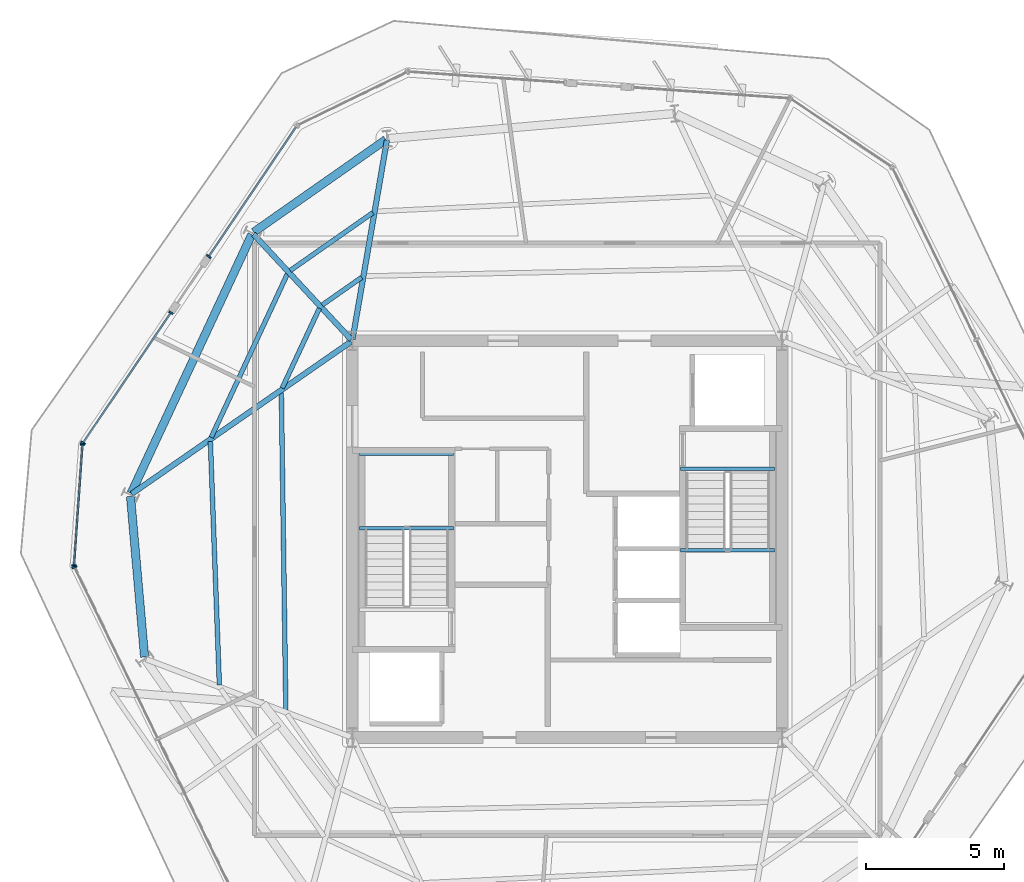
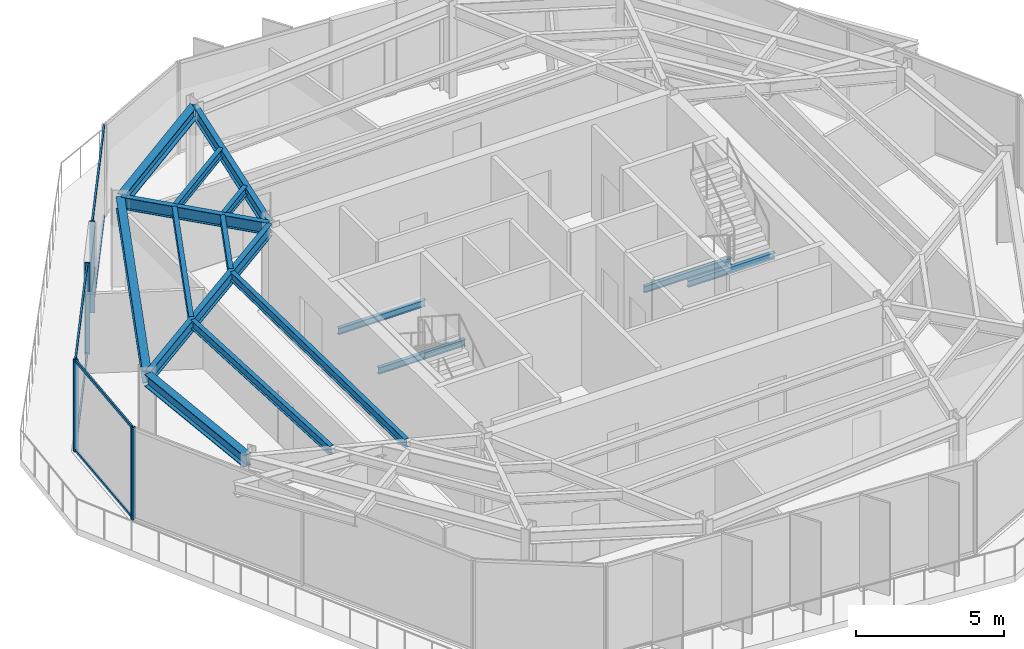
# One storey, part 4 of 12: 16 beams, 12 members, 4 elements without a shape of their own.
"""IFC4 building model written with IfcOpenShell, lengths in metres."""

from ifc_helpers import new_model, si_unit, direction, frame, origin, origin_2d, place, context, subcontext, project, spatial, rectangle, i_section, extrude, material, layer, layer_set, material_profile, profile_set, type_object, element, aggregate, save


model = new_model("IFC4")

# Units and contexts
model_context = context("Model", 3, precision=1e-05, world=origin(), true_north=direction((0.0, 1.0)))
body_context = subcontext(model_context, "Body", "Model", "MODEL_VIEW")
ifc_project = project(units=[si_unit("LENGTHUNIT", "METRE"), si_unit("AREAUNIT", "SQUARE_METRE"), si_unit("VOLUMEUNIT", "CUBIC_METRE"), si_unit("PLANEANGLEUNIT", "RADIAN"), si_unit("MASSUNIT", "GRAM", prefix="KILO")], contexts=[model_context])

# Site, building, storey
site_placement = place(None, origin())
site = spatial("IfcSite", under=ifc_project, at=site_placement, CompositionType="ELEMENT")
building_placement = place(site_placement, origin())
building = spatial("IfcBuilding", under=site, at=building_placement, Name="Kranzbogen Civic Tower", CompositionType="ELEMENT")
storey_placement = place(building_placement, frame((0.0, 0.0, 250.199951171875)))
storey = spatial("IfcBuildingStorey", under=building, at=storey_placement, Name="L60", CompositionType="ELEMENT", Elevation=250.199951171875)

# Curtain wall, members
ifc_material_1 = material(Name="Pale Anodised Aluminium", Category="aluminium")
ifc_layer_1 = layer(ifc_material_1, 0.219970703125, Name="Pale Anodised Aluminium")
ifc_layer_set_1 = layer_set([ifc_layer_1], Name="Pale Anodised Aluminium")
curtain_wall_type_1 = type_object("IfcCurtainWallType", Name="Chamfer Facet Stick Curtain Wall System CW-06", PredefinedType="USERDEFINED", material=ifc_layer_set_1)
curtain_wall_1_placement = place(storey_placement, origin())
curtain_wall_1 = element("IfcCurtainWall", 1, at=curtain_wall_1_placement, inside=storey, type_object=curtain_wall_type_1, Name="L60 curtain wall CW-L60-C2", ObjectType="STICK CURTAIN WALL", PredefinedType="USERDEFINED")
ifc_material_profile_1 = material_profile(ifc_material_1, rectangle(XDim=0.06005859375, YDim=0.159912109375, at=origin_2d()), Name="ALU-M 60x160")
ifc_profile_set_1 = profile_set([ifc_material_profile_1], Name="Pale Anodised Aluminium")
member_type_1 = type_object("IfcMemberType", Name="Curtain Wall Mullion ALU-M 60x160", PredefinedType="MULLION", material=ifc_profile_set_1)
member_1_placement = place(storey_placement, frame((7.408935546875, 28.43798828125, 0.0), z_axis=(0.0, 0.0, 1.0), x_axis=(-0.069655280364, -0.997571121233, 0.0)))
member_1 = element("IfcMember", 2, at=member_1_placement, type_object=member_type_1, Name="CW-06 mullion 1", PredefinedType="MULLION", context=body_context, shape_type="SweptSolid", body=[
    extrude(rectangle(XDim=0.06005859375, YDim=0.159912109375, at=origin_2d()), origin(), (0.0, 0.0, 1.0), 3.780029296875),
])
member_2_placement = place(storey_placement, frame((7.10205078125, 24.0439453125, 0.0), z_axis=(0.0, 0.0, 1.0), x_axis=(-0.069655280364, -0.997571121233, 0.0)))
member_2 = element("IfcMember", 3, at=member_2_placement, type_object=member_type_1, Name="CW-06 mullion 2", PredefinedType="MULLION", context=body_context, shape_type="SweptSolid", body=[
    extrude(rectangle(XDim=0.06005859375, YDim=0.159912109375, at=origin_2d()), origin(), (0.0, 0.0, 1.0), 3.780029296875),
])

# Curtain wall, member
ifc_layer_2 = layer(ifc_material_1, 0.219970703125, Name="Pale Anodised Aluminium")
ifc_layer_set_2 = layer_set([ifc_layer_2], Name="Pale Anodised Aluminium")
curtain_wall_type_2 = type_object("IfcCurtainWallType", Name="Zone 4 Stick Curtain Wall System CW-05", PredefinedType="USERDEFINED", material=ifc_layer_set_2)
curtain_wall_2_placement = place(storey_placement, origin())
curtain_wall_2 = element("IfcCurtainWall", 4, at=curtain_wall_2_placement, inside=storey, type_object=curtain_wall_type_2, Name="L60 curtain wall CW-L60-F2-S1", ObjectType="STICK CURTAIN WALL", PredefinedType="USERDEFINED")
ifc_material_profile_2 = material_profile(ifc_material_1, rectangle(XDim=0.06494140625, YDim=0.179931640625, at=origin_2d()), Name="ALU-M 65x180")
ifc_profile_set_2 = profile_set([ifc_material_profile_2], Name="Pale Anodised Aluminium")
member_type_2 = type_object("IfcMemberType", Name="Curtain Wall Mullion ALU-M 65x180", PredefinedType="MULLION", material=ifc_profile_set_2)
member_3_placement = place(storey_placement, frame((11.99169921875, 35.2587890625, 0.0), z_axis=(0.0, 0.0, 1.0), x_axis=(-0.559219373817, -0.829019717466, 0.0)))
member_3 = element("IfcMember", 5, at=member_3_placement, type_object=member_type_2, Name="CW-05 mullion 2", PredefinedType="MULLION", context=body_context, shape_type="SweptSolid", body=[
    extrude(rectangle(XDim=0.06494140625, YDim=0.179931640625, at=origin_2d()), origin(), (0.0, 0.0, 1.0), 3.780029296875),
])

# Curtain wall, members
curtain_wall_3_placement = place(storey_placement, origin())
curtain_wall_3 = element("IfcCurtainWall", 6, at=curtain_wall_3_placement, inside=storey, type_object=curtain_wall_type_2, Name="L60 curtain wall CW-L60-F2-S2", ObjectType="STICK CURTAIN WALL", PredefinedType="USERDEFINED")
member_4_placement = place(storey_placement, frame((10.6162109375, 33.21923828125, 0.0), z_axis=(0.0, 0.0, 1.0), x_axis=(-0.559258196655, -0.828993528005, 0.0)))
member_4 = element("IfcMember", 7, at=member_4_placement, type_object=member_type_2, Name="CW-05 mullion 1", PredefinedType="MULLION", context=body_context, shape_type="SweptSolid", body=[
    extrude(rectangle(XDim=0.06494140625, YDim=0.179931640625, at=origin_2d()), origin(), (0.0, 0.0, 1.0), 3.780029296875),
])
member_5_placement = place(storey_placement, frame((7.427734375, 28.492919921875, 0.0), z_axis=(0.0, 0.0, 1.0), x_axis=(-0.559258196655, -0.828993528005, 0.0)))
member_5 = element("IfcMember", 8, at=member_5_placement, type_object=member_type_2, Name="CW-05 mullion 2", PredefinedType="MULLION", context=body_context, shape_type="SweptSolid", body=[
    extrude(rectangle(XDim=0.06494140625, YDim=0.179931640625, at=origin_2d()), origin(), (0.0, 0.0, 1.0), 3.780029296875),
])

# Curtain wall, member
curtain_wall_4_placement = place(storey_placement, origin())
curtain_wall_4 = element("IfcCurtainWall", 9, at=curtain_wall_4_placement, inside=storey, type_object=curtain_wall_type_2, Name="L60 curtain wall CW-L60-F3", ObjectType="STICK CURTAIN WALL", PredefinedType="USERDEFINED")
member_6_placement = place(storey_placement, frame((7.113037109375, 23.987060546875, 0.0), z_axis=(0.0, 0.0, 1.0), x_axis=(0.438313241506, -0.898822286284, 0.0)))
member_6 = element("IfcMember", 10, at=member_6_placement, type_object=member_type_2, Name="CW-05 mullion 1", PredefinedType="MULLION", context=body_context, shape_type="SweptSolid", body=[
    extrude(rectangle(XDim=0.06494140625, YDim=0.179931640625, at=origin_2d()), origin(), (0.0, 0.0, 1.0), 3.780029296875),
])
aggregate(curtain_wall_4, [member_6])

# Member
ifc_material_profile_3 = material_profile(ifc_material_1, rectangle(XDim=0.06005859375, YDim=0.1201171875, at=origin_2d()), Name="ALU-T 60x120")
ifc_profile_set_3 = profile_set([ifc_material_profile_3], Name="Pale Anodised Aluminium")
member_type_3 = type_object("IfcMemberType", Name="Curtain Wall Transom ALU-T 60x120", PredefinedType="USERDEFINED", material=ifc_profile_set_3)
member_7_placement = place(storey_placement, frame((7.40673828125, 28.408203125, 0.030029296875), z_axis=(-0.06962167105, -0.99757346743, 0.0), x_axis=(0.99757346743, -0.06962167105, 0.0)))
member_7 = element("IfcMember", 11, at=member_7_placement, type_object=member_type_3, Name="CW-06 transom 1.1", ObjectType="TRANSOM", PredefinedType="USERDEFINED", context=body_context, shape_type="SweptSolid", body=[
    extrude(rectangle(XDim=0.06005859375, YDim=0.1201171875, at=origin_2d()), origin(), (0.0, 0.0, 1.0), 4.3447265625),
])

member_8_placement = place(storey_placement, frame((7.40673828125, 28.408203125, 3.75), z_axis=(-0.06962167105, -0.99757346743, 0.0), x_axis=(0.99757346743, -0.06962167105, 0.0)))
member_8 = element("IfcMember", 12, at=member_8_placement, type_object=member_type_3, Name="CW-06 transom 1.2", ObjectType="TRANSOM", PredefinedType="USERDEFINED", context=body_context, shape_type="SweptSolid", body=[
    extrude(rectangle(XDim=0.06005859375, YDim=0.1201171875, at=origin_2d()), origin(), (0.0, 0.0, 1.0), 4.3447265625),
])

aggregate(curtain_wall_1, [member_1, member_2, member_7, member_8])

ifc_material_profile_4 = material_profile(ifc_material_1, rectangle(XDim=0.06494140625, YDim=0.135009765625, at=origin_2d()), Name="ALU-T 65x135")
ifc_profile_set_4 = profile_set([ifc_material_profile_4], Name="Pale Anodised Aluminium")
member_type_4 = type_object("IfcMemberType", Name="Curtain Wall Transom ALU-T 65x135", PredefinedType="USERDEFINED", material=ifc_profile_set_4)
member_9_placement = place(storey_placement, frame((15.162353515625, 39.959228515625, 0.030029296875), z_axis=(-0.55920740466, -0.829027791195, 0.0), x_axis=(0.829027791195, -0.55920740466, 0.0)))
member_9 = element("IfcMember", 13, at=member_9_placement, type_object=member_type_4, Name="CW-05 transom 1.1", ObjectType="TRANSOM", PredefinedType="USERDEFINED", context=body_context, shape_type="SweptSolid", body=[
    extrude(rectangle(XDim=0.06494140625, YDim=0.135009765625, at=origin_2d()), origin(), (0.0, 0.0, 1.0), 5.639892578125),
])

member_10_placement = place(storey_placement, frame((15.162353515625, 39.959228515625, 3.75), z_axis=(-0.55920740466, -0.829027791195, 0.0), x_axis=(0.829027791195, -0.55920740466, 0.0)))
member_10 = element("IfcMember", 14, at=member_10_placement, type_object=member_type_4, Name="CW-05 transom 1.2", ObjectType="TRANSOM", PredefinedType="USERDEFINED", context=body_context, shape_type="SweptSolid", body=[
    extrude(rectangle(XDim=0.06494140625, YDim=0.135009765625, at=origin_2d()), origin(), (0.0, 0.0, 1.0), 5.639892578125),
])

aggregate(curtain_wall_2, [member_3, member_9, member_10])

member_11_placement = place(storey_placement, frame((10.599365234375, 33.1943359375, 0.030029296875), z_axis=(-0.559246127772, -0.829001669825, 0.0), x_axis=(0.829001669825, -0.559246127772, 0.0)))
member_11 = element("IfcMember", 15, at=member_11_placement, type_object=member_type_4, Name="CW-05 transom 1.1", ObjectType="TRANSOM", PredefinedType="USERDEFINED", context=body_context, shape_type="SweptSolid", body=[
    extrude(rectangle(XDim=0.06494140625, YDim=0.135009765625, at=origin_2d()), origin(), (0.0, 0.0, 1.0), 5.64111328125),
])

member_12_placement = place(storey_placement, frame((10.599365234375, 33.1943359375, 3.75), z_axis=(-0.559246127772, -0.829001669825, 0.0), x_axis=(0.829001669825, -0.559246127772, 0.0)))
member_12 = element("IfcMember", 16, at=member_12_placement, type_object=member_type_4, Name="CW-05 transom 1.2", ObjectType="TRANSOM", PredefinedType="USERDEFINED", context=body_context, shape_type="SweptSolid", body=[
    extrude(rectangle(XDim=0.06494140625, YDim=0.135009765625, at=origin_2d()), origin(), (0.0, 0.0, 1.0), 5.64111328125),
])

aggregate(curtain_wall_3, [member_4, member_5, member_11, member_12])

# Beams
ifc_material_2 = material(Name="Steel S355", Category="steel")
ifc_material_profile_5 = material_profile(ifc_material_2, i_section(OverallWidth=0.300048828125, OverallDepth=0.5, WebThickness=0.014404296875, FlangeThickness=0.028076171875, at=origin_2d()), Name="HEB 500")
ifc_profile_set_5 = profile_set([ifc_material_profile_5], Name="Steel S355")
beam_type_1 = type_object("IfcBeamType", Name="Perimeter Tube Spandrel Beam HEB 500", PredefinedType="SPANDREL", material=ifc_profile_set_5)
beam_1_placement = place(storey_placement, frame((18.41796875, 39.501953125, 3.530029296875), z_axis=(-0.819059436004, -0.57370867197, 0.0), x_axis=(0.57370867197, -0.819059436004, 0.0)))
element("IfcBeam", 17, at=beam_1_placement, inside=storey, type_object=beam_type_1, Name="L60 perimeter spandrel beam 10", PredefinedType="SPANDREL", context=body_context, shape_type="SweptSolid", body=[
    extrude(i_section(OverallWidth=0.300048828125, OverallDepth=0.5, WebThickness=0.014404296875, FlangeThickness=0.028076171875, at=origin_2d()), origin(), (0.0, 0.0, 1.0), 5.85302734375),
])
beam_2_placement = place(storey_placement, frame((13.550048828125, 36.055908203125, 3.530029296875), z_axis=(-0.422668780888, -0.906284227857, 0.0), x_axis=(0.906284227857, -0.422668780888, 0.0)))
element("IfcBeam", 18, at=beam_2_placement, inside=storey, type_object=beam_type_1, Name="L60 perimeter spandrel beam 11", PredefinedType="SPANDREL", context=body_context, shape_type="SweptSolid", body=[
    extrude(i_section(OverallWidth=0.300048828125, OverallDepth=0.5, WebThickness=0.014404296875, FlangeThickness=0.028076171875, at=origin_2d()), origin(), (0.0, 0.0, 1.0), 10.363037109375),
])
beam_3_placement = place(storey_placement, frame((9.14990234375, 26.550048828125, 3.530029296875), z_axis=(0.087326362434, -0.99617975608, 0.0), x_axis=(0.99617975608, 0.087326362434, 0.0)))
element("IfcBeam", 19, at=beam_3_placement, inside=storey, type_object=beam_type_1, Name="L60 perimeter spandrel beam 12", PredefinedType="SPANDREL", context=body_context, shape_type="SweptSolid", body=[
    extrude(i_section(OverallWidth=0.300048828125, OverallDepth=0.5, WebThickness=0.014404296875, FlangeThickness=0.028076171875, at=origin_2d()), origin(), (0.0, 0.0, 1.0), 5.8515625),
])
ifc_material_profile_6 = material_profile(ifc_material_2, i_section(OverallWidth=0.199951171875, OverallDepth=0.5, WebThickness=0.01025390625, FlangeThickness=0.01611328125, at=origin_2d()), Name="IPE 500")
ifc_profile_set_6 = profile_set([ifc_material_profile_6], Name="Steel S355")
beam_type_2 = type_object("IfcBeamType", Name="Radial Tower Floor Girder IPE 500", PredefinedType="BEAM", material=ifc_profile_set_6)
beam_4_placement = place(storey_placement, frame((18.45703125, 39.47705078125, 3.530029296875), z_axis=(-0.170249558486, -0.985400978199, 0.0), x_axis=(0.985400978199, -0.170249558486, 0.0)))
element("IfcBeam", 20, at=beam_4_placement, inside=storey, type_object=beam_type_2, Name="L60 radial floor girder 10", PredefinedType="BEAM", context=body_context, shape_type="SweptSolid", body=[
    extrude(i_section(OverallWidth=0.199951171875, OverallDepth=0.5, WebThickness=0.01025390625, FlangeThickness=0.01611328125, at=origin_2d()), origin(), (0.0, 0.0, 1.0), 7.324951171875),
])
beam_5_placement = place(storey_placement, frame((13.615966796875, 36.06591796875, 3.530029296875), z_axis=(0.679827353702, -0.733372190064, 0.0), x_axis=(0.733372190064, 0.679827353702, 0.0)))
element("IfcBeam", 21, at=beam_5_placement, inside=storey, type_object=beam_type_2, Name="L60 radial floor girder 11", PredefinedType="BEAM", context=body_context, shape_type="SweptSolid", body=[
    extrude(i_section(OverallWidth=0.199951171875, OverallDepth=0.5, WebThickness=0.01025390625, FlangeThickness=0.01611328125, at=origin_2d()), origin(), (0.0, 0.0, 1.0), 5.211669921875),
])
beam_6_placement = place(storey_placement, frame((9.194091796875, 26.64404296875, 3.530029296875), z_axis=(0.821542812331, 0.570146829779, 0.0), x_axis=(-0.570146829779, 0.821542812331, 0.0)))
element("IfcBeam", 22, at=beam_6_placement, inside=storey, type_object=beam_type_2, Name="L60 radial floor girder 12", PredefinedType="BEAM", context=body_context, shape_type="SweptSolid", body=[
    extrude(i_section(OverallWidth=0.199951171875, OverallDepth=0.5, WebThickness=0.01025390625, FlangeThickness=0.01611328125, at=origin_2d()), origin(), (0.0, 0.0, 1.0), 9.68505859375),
])
ifc_material_profile_7 = material_profile(ifc_material_2, i_section(OverallWidth=0.169921875, OverallDepth=0.360107421875, WebThickness=0.008056640625, FlangeThickness=0.0126953125, at=origin_2d()), Name="IPE 360")
ifc_profile_set_7 = profile_set([ifc_material_profile_7], Name="Steel S355")
beam_type_3 = type_object("IfcBeamType", Name="Secondary Composite Floor Joist IPE 360", PredefinedType="JOIST", material=ifc_profile_set_7)
beam_7_placement = place(storey_placement, frame((17.945068359375, 36.84912109375, 3.60009765625), z_axis=(-0.819006333711, -0.573784476385, 0.0), x_axis=(0.573784476385, -0.819006333711, 0.0)))
element("IfcBeam", 23, at=beam_7_placement, inside=storey, type_object=beam_type_3, Name="L60 secondary floor joist 1.10", PredefinedType="JOIST", context=body_context, shape_type="SweptSolid", body=[
    extrude(i_section(OverallWidth=0.169921875, OverallDepth=0.360107421875, WebThickness=0.008056640625, FlangeThickness=0.0126953125, at=origin_2d()), origin(), (0.0, 0.0, 1.0), 3.661865234375),
])
beam_8_placement = place(storey_placement, frame((17.5400390625, 34.501953125, 3.60009765625), z_axis=(-0.818956727849, -0.573855276103, 0.0), x_axis=(0.573855276103, -0.818956727849, 0.0)))
element("IfcBeam", 24, at=beam_8_placement, inside=storey, type_object=beam_type_3, Name="L60 secondary floor joist 2.10", PredefinedType="JOIST", context=body_context, shape_type="SweptSolid", body=[
    extrude(i_section(OverallWidth=0.169921875, OverallDepth=0.360107421875, WebThickness=0.008056640625, FlangeThickness=0.0126953125, at=origin_2d()), origin(), (0.0, 0.0, 1.0), 1.751220703125),
])
beam_9_placement = place(storey_placement, frame((14.845947265625, 34.6298828125, 3.60009765625), z_axis=(-0.422542528713, -0.906343098075, 0.0), x_axis=(0.906343098075, -0.422542528713, 0.0)))
element("IfcBeam", 25, at=beam_9_placement, inside=storey, type_object=beam_type_3, Name="L60 secondary floor joist 1.11", PredefinedType="JOIST", context=body_context, shape_type="SweptSolid", body=[
    extrude(i_section(OverallWidth=0.169921875, OverallDepth=0.360107421875, WebThickness=0.008056640625, FlangeThickness=0.0126953125, at=origin_2d()), origin(), (0.0, 0.0, 1.0), 6.548095703125),
])
beam_10_placement = place(storey_placement, frame((16.006103515625, 33.37890625, 3.60009765625), z_axis=(-0.422651143991, -0.906292453065, 0.0), x_axis=(0.906292453065, -0.422651143991, 0.0)))
element("IfcBeam", 26, at=beam_10_placement, inside=storey, type_object=beam_type_3, Name="L60 secondary floor joist 2.11", PredefinedType="JOIST", context=body_context, shape_type="SweptSolid", body=[
    extrude(i_section(OverallWidth=0.169921875, OverallDepth=0.360107421875, WebThickness=0.008056640625, FlangeThickness=0.0126953125, at=origin_2d()), origin(), (0.0, 0.0, 1.0), 3.1943359375),
])
beam_11_placement = place(storey_placement, frame((12.048095703125, 28.5419921875, 3.60009765625), z_axis=(0.036992246074, -0.999315552631, 0.0), x_axis=(0.999315552631, 0.036992246074, 0.0)))
element("IfcBeam", 27, at=beam_11_placement, inside=storey, type_object=beam_type_3, Name="L60 secondary floor joist 1.12", PredefinedType="JOIST", context=body_context, shape_type="SweptSolid", body=[
    extrude(i_section(OverallWidth=0.169921875, OverallDepth=0.360107421875, WebThickness=0.008056640625, FlangeThickness=0.0126953125, at=origin_2d()), origin(), (0.0, 0.0, 1.0), 8.837158203125),
])
beam_12_placement = place(storey_placement, frame((14.6240234375, 30.3310546875, 3.60009765625), z_axis=(0.014221385906, -0.999898870978, 0.0), x_axis=(0.999898870978, 0.014221385906, 0.0)))
element("IfcBeam", 28, at=beam_12_placement, inside=storey, type_object=beam_type_3, Name="L60 secondary floor joist 2.12", PredefinedType="JOIST", context=body_context, shape_type="SweptSolid", body=[
    extrude(i_section(OverallWidth=0.169921875, OverallDepth=0.360107421875, WebThickness=0.008056640625, FlangeThickness=0.0126953125, at=origin_2d()), origin(), (0.0, 0.0, 1.0), 11.536376953125),
])
ifc_material_profile_8 = material_profile(ifc_material_2, i_section(OverallWidth=0.135009765625, OverallDepth=0.27001953125, WebThickness=0.006591796875, FlangeThickness=0.01025390625, at=origin_2d()), Name="IPE 270")
ifc_profile_set_8 = profile_set([ifc_material_profile_8], Name="Steel S355")
beam_type_4 = type_object("IfcBeamType", Name="Stair Landing Support Beam IPE 270", PredefinedType="JOIST", material=ifc_profile_set_8)
for number, where, z_axis, x_axis, name in (
    (29, (20.8798828125, 25.39990234375, 1.6650390625), (-1.0, 0.0, 0.0), (0.0, -1.0, 0.0), "L60 ST-T1 landing support beam 1.1"),
    (30, (20.8798828125, 28.10009765625, 1.6650390625), (-1.0, 0.0, 0.0), (0.0, -1.0, 0.0), "L60 ST-T1 landing support beam 1.2"),
    (31, (29.1201171875, 27.56005859375, -0.35498046875), (1.0, 0.0, 0.0), (0.0, 1.0, 0.0), "L60 ST-T2 stair floor header beam"),
    (32, (29.1201171875, 24.60009765625, 1.6650390625), (1.0, 0.0, 0.0), (0.0, 1.0, 0.0), "L60 ST-T2 landing support beam 1.1"),
):
    element("IfcBeam", number, at=place(storey_placement, frame(where, z_axis=z_axis, x_axis=x_axis)), inside=storey, type_object=beam_type_4, Name=name, PredefinedType="JOIST", context=body_context, shape_type="SweptSolid", body=[
        extrude(i_section(OverallWidth=0.135009765625, OverallDepth=0.27001953125, WebThickness=0.006591796875, FlangeThickness=0.01025390625, at=origin_2d()), origin(), (0.0, 0.0, 1.0), 3.409912109375),
    ])

save(model, "model.ifc")
